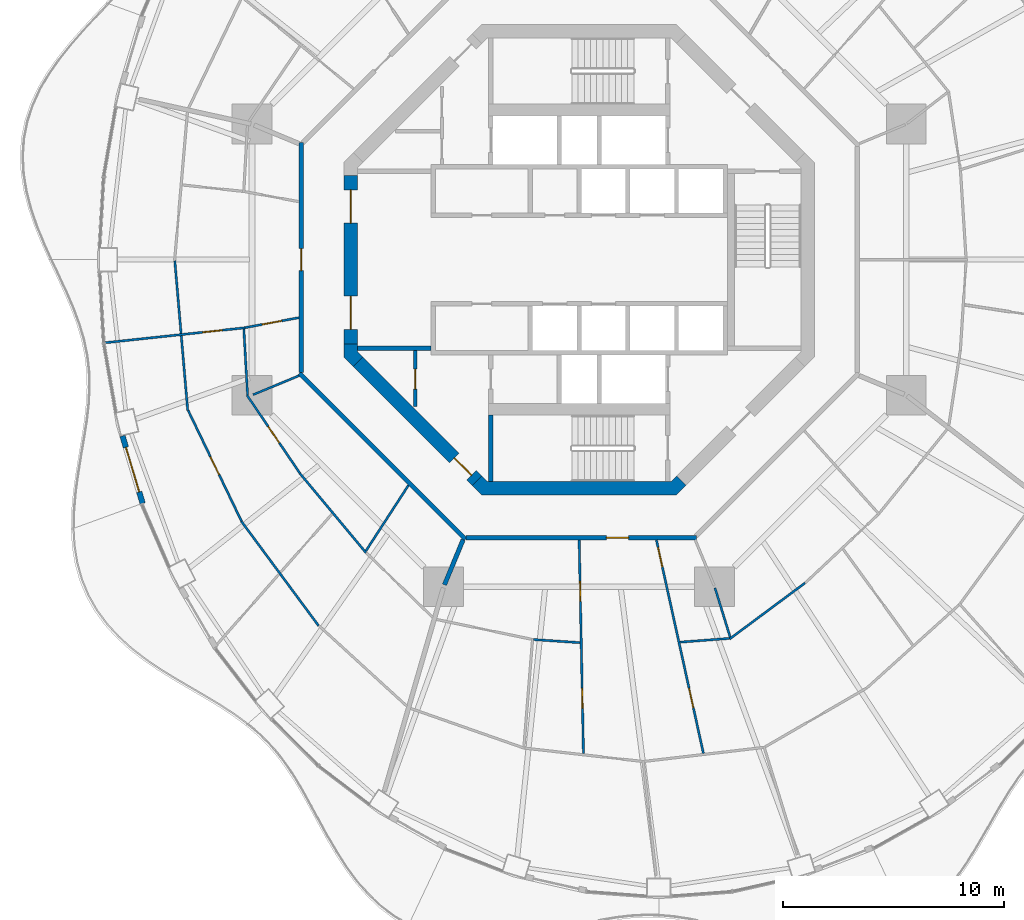
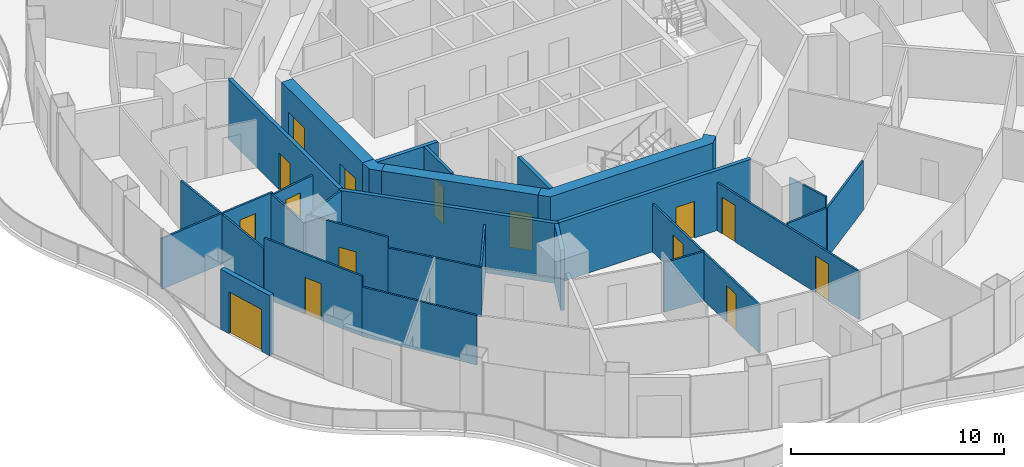
# One storey, part 11 of 19: 28 walls, 15 doors, 15 openings.
"""IFC4 building model written with IfcOpenShell, lengths in metres."""

from ifc_helpers import new_model, si_unit, direction, frame, frame_2d, origin, place, context, subcontext, project, spatial, polyline, rectangle, outline, extrude, material, layer, layer_set, type_object, element, fill, save


model = new_model("IFC4")

# Units and contexts
model_context = context("Model", 3, precision=1e-05, world=origin(), true_north=direction((0.0, 1.0)))
body_context = subcontext(model_context, "Body", "Model", "MODEL_VIEW")
ifc_project = project(units=[si_unit("LENGTHUNIT", "METRE"), si_unit("AREAUNIT", "SQUARE_METRE"), si_unit("VOLUMEUNIT", "CUBIC_METRE"), si_unit("PLANEANGLEUNIT", "RADIAN"), si_unit("MASSUNIT", "GRAM", prefix="KILO")], contexts=[model_context])

# Site, building, storey
site_placement = place(None, origin())
site = spatial("IfcSite", under=ifc_project, at=site_placement, CompositionType="ELEMENT")
building_placement = place(site_placement, origin())
building = spatial("IfcBuilding", under=site, at=building_placement, Name="Nagisa Residences", CompositionType="ELEMENT")
storey_placement = place(building_placement, frame((0.0, 0.0, 188.10009765625)))
storey = spatial("IfcBuildingStorey", under=building, at=storey_placement, Name="L47", CompositionType="ELEMENT", Elevation=188.10009765625)

# Wall
ifc_material_1 = material(Name="Gypsum board on steel studs", Category="steel")
ifc_layer_1 = layer(ifc_material_1, 0.199951171875)
ifc_layer_set_1 = layer_set([ifc_layer_1], Name="Apartment compartment wall EI60 200")
wall_type_1 = type_object("IfcWallType", Name="Apartment compartment wall EI60 200", PredefinedType="PARTITIONING", material=ifc_layer_set_1)
wall_1_placement = place(storey_placement, frame((-5.24267578125, -12.6572265625, 0.0), z_axis=(0.0, 0.0, 1.0), x_axis=(-0.382707856524, -0.923869415315, 0.0)))
element("IfcWall", 1, at=wall_1_placement, inside=storey, type_object=wall_type_1, Name="wall:L47:u06", PredefinedType="PARTITIONING", context=body_context, shape_type="SweptSolid", body=[
    extrude(rectangle(XDim=2.2001953125, YDim=0.199951171875, at=frame_2d((1.10009765625, 0.0))), origin(), (0.0, 0.0, 1.0), 3.43994140625),
])

# Wall, opening, door
ifc_material_2 = material(Name="Gypsum board on steel studs", Category="steel")
ifc_layer_2 = layer(ifc_material_2, 0.199951171875)
ifc_layer_set_2 = layer_set([ifc_layer_2], Name="Apartment entry wall EI60 200")
wall_type_2 = type_object("IfcWallType", Name="Apartment entry wall EI60 200", PredefinedType="PARTITIONING", material=ifc_layer_set_2)
wall_2_placement = place(storey_placement, frame((-12.564697265625, 5.304443359375, 0.0), z_axis=(0.0, 0.0, 1.0), x_axis=(0.0, -1.0, 0.0)))
wall_2 = element("IfcWall", 2, at=wall_2_placement, inside=storey, type_object=wall_type_2, Name="wall:L47:u14", PredefinedType="PARTITIONING", context=body_context, shape_type="SweptSolid", body=[
    extrude(rectangle(XDim=10.408935546875, YDim=0.199951171875, at=frame_2d((5.20458984375, 0.0))), origin(), (0.0, 0.0, 1.0), 3.43994140625),
])
opening_1_placement = place(wall_2_placement, frame((4.804443359375, 0.0, 0.0)))
opening_1 = element("IfcOpeningElement", 3, at=opening_1_placement, cuts=wall_2, Name="Opening L47-U09", PredefinedType="OPENING", context=body_context, shape_type="SweptSolid", body=[
    extrude(rectangle(XDim=1.0, YDim=2.10009765625, at=frame_2d((0.5, 1.050048828125))), frame((0.0, 0.10986328125, 0.0), z_axis=(0.0, -1.0, 0.0), x_axis=(1.0, 0.0, 0.0)), (0.0, 0.0, 1.0), 0.219970703125),
])
ifc_material_3 = material(Name="Timber fire door set", Category="wood")
door_type_1 = type_object("IfcDoorType", Name="Apartment entry door FD30S 1000x2100", OperationType="NOTDEFINED", PredefinedType="DOOR", material=ifc_material_3)
door_1_placement = place(opening_1_placement, frame((1.0, 0.0, 0.0), x_axis=(-1.0, 0.0, 0.0)))
door_1 = element("IfcDoor", 4, at=door_1_placement, inside=storey, type_object=door_type_1, Name="Entry door, Apartment 47B", OperationType="SINGLE_SWING_RIGHT", OverallHeight=2.10009765625, OverallWidth=1.0, PredefinedType="DOOR", context=body_context, shape_type="SweptSolid", body=[
    extrude(rectangle(XDim=1.0, YDim=2.10009765625, at=frame_2d((0.5, 1.050048828125))), frame((0.0, 0.02490234375, 0.0), z_axis=(0.0, -1.0, 0.0), x_axis=(1.0, 0.0, 0.0)), (0.0, 0.0, 1.0), 0.050048828125),
])
fill(opening_1, door_1)

# Wall
wall_3_placement = place(storey_placement, frame((-12.635498046875, -5.1337890625, 0.0), z_axis=(0.0, 0.0, 1.0), x_axis=(0.707106781187, -0.707106781187, 0.0)))
element("IfcWall", 5, at=wall_3_placement, inside=storey, type_object=wall_type_2, Name="wall:L47:u15", PredefinedType="PARTITIONING", context=body_context, shape_type="SweptSolid", body=[
    extrude(rectangle(XDim=10.609130859375, YDim=0.199951171875, at=frame_2d((5.3046875, 0.0))), origin(), (0.0, 0.0, 1.0), 3.43994140625),
])

# Wall, opening, door
wall_4_placement = place(storey_placement, frame((-5.1044921875, -12.564697265625, 0.0), z_axis=(0.0, 0.0, 1.0), x_axis=(1.0, 0.0, 0.0)))
wall_4 = element("IfcWall", 6, at=wall_4_placement, inside=storey, type_object=wall_type_2, Name="wall:L47:u16", PredefinedType="PARTITIONING", context=body_context, shape_type="SweptSolid", body=[
    extrude(rectangle(XDim=10.408935546875, YDim=0.199951171875, at=frame_2d((5.20458984375, 0.0))), origin(), (0.0, 0.0, 1.0), 3.43994140625),
])
opening_2_placement = place(wall_4_placement, frame((6.33935546875, 0.0, 0.0)))
opening_2 = element("IfcOpeningElement", 7, at=opening_2_placement, cuts=wall_4, Name="Opening L47-U20", PredefinedType="OPENING", context=body_context, shape_type="SweptSolid", body=[
    extrude(rectangle(XDim=1.0, YDim=2.10009765625, at=frame_2d((0.5, 1.050048828125))), frame((0.0, 0.10986328125, 0.0), z_axis=(0.0, -1.0, 0.0), x_axis=(1.0, 0.0, 0.0)), (0.0, 0.0, 1.0), 0.219970703125),
])
door_2_placement = place(opening_2_placement, frame((1.0, 0.0, 0.0), x_axis=(-1.0, 0.0, 0.0)))
door_2 = element("IfcDoor", 8, at=door_2_placement, inside=storey, type_object=door_type_1, Name="Entry door, Apartment 47C", OperationType="SINGLE_SWING_LEFT", OverallHeight=2.10009765625, OverallWidth=1.0, PredefinedType="DOOR", context=body_context, shape_type="SweptSolid", body=[
    extrude(rectangle(XDim=1.0, YDim=2.10009765625, at=frame_2d((0.5, 1.050048828125))), frame((0.0, 0.02490234375, 0.0), z_axis=(0.0, -1.0, 0.0), x_axis=(1.0, 0.0, 0.0)), (0.0, 0.0, 1.0), 0.050048828125),
])
fill(opening_2, door_2)

# Wall
ifc_material_4 = material(Name="Gypsum board on steel studs", Category="steel")
ifc_layer_3 = layer(ifc_material_4, 0.10009765625)
ifc_layer_set_3 = layer_set([ifc_layer_3], Name="Apartment partition 100")
wall_type_3 = type_object("IfcWallType", Name="Apartment partition 100", PredefinedType="PARTITIONING", material=ifc_layer_set_3)
wall_5_placement = place(storey_placement, frame((-18.270751953125, -0.0498046875, 0.0), z_axis=(0.0, 0.0, 1.0), x_axis=(0.086018199227, -0.996293565874, 0.0)))
element("IfcWall", 9, at=wall_5_placement, inside=storey, type_object=wall_type_3, Name="wall:L47:u59", PredefinedType="PARTITIONING", context=body_context, shape_type="SweptSolid", body=[
    extrude(rectangle(XDim=6.7890625, YDim=0.10009765625, at=frame_2d((3.39453125, 0.0))), origin(), (0.0, 0.0, 1.0), 2.8369140625),
])

# Wall, opening, door
wall_6_placement = place(storey_placement, frame((-12.6630859375, -2.62060546875, 0.0), z_axis=(0.0, 0.0, 1.0), x_axis=(-0.983176884312, -0.182655999505, 0.0)))
wall_6 = element("IfcWall", 10, at=wall_6_placement, inside=storey, type_object=wall_type_3, Name="wall:L47:u60", PredefinedType="PARTITIONING", context=body_context, shape_type="SweptSolid", body=[
    extrude(rectangle(XDim=2.4833984375, YDim=0.10009765625, at=frame_2d((1.24169921875, 0.0))), origin(), (0.0, 0.0, 1.0), 2.755859375),
])
opening_3_placement = place(wall_6_placement, frame((0.791748046875, 0.0, 0.0)))
opening_3 = element("IfcOpeningElement", 11, at=opening_3_placement, cuts=wall_6, Name="Opening L47-U11", PredefinedType="OPENING", context=body_context, shape_type="SweptSolid", body=[
    extrude(rectangle(XDim=0.89990234375, YDim=2.10009765625, at=frame_2d((0.449951171875, 1.050048828125))), frame((0.0, 0.06005859375, 0.0), z_axis=(0.0, -1.0, 0.0), x_axis=(1.0, 0.0, 0.0)), (0.0, 0.0, 1.0), 0.1201171875),
])
ifc_material_5 = material(Name="Timber door set", Category="wood")
door_type_2 = type_object("IfcDoorType", Name="Apartment door 900x2100", OperationType="NOTDEFINED", PredefinedType="DOOR", material=ifc_material_5)
door_3_placement = place(opening_3_placement, origin())
door_3 = element("IfcDoor", 12, at=door_3_placement, inside=storey, type_object=door_type_2, Name="Door to family bathroom, Apartment 47B", OperationType="SINGLE_SWING_LEFT", OverallHeight=2.10009765625, OverallWidth=0.89990234375, PredefinedType="DOOR", context=body_context, shape_type="SweptSolid", body=[
    extrude(rectangle(XDim=0.89990234375, YDim=2.10009765625, at=frame_2d((0.449951171875, 1.050048828125))), frame((0.0, 0.02490234375, 0.0), z_axis=(0.0, -1.0, 0.0), x_axis=(1.0, 0.0, 0.0)), (0.0, 0.0, 1.0), 0.050048828125),
])
fill(opening_3, door_3)

wall_7_placement = place(storey_placement, frame((-15.104248046875, -3.077880859375, 0.0), z_axis=(0.0, 0.0, 1.0), x_axis=(-0.994316167803, -0.106467640365, 0.0)))
wall_7 = element("IfcWall", 13, at=wall_7_placement, inside=storey, type_object=wall_type_3, Name="wall:L47:u61", PredefinedType="PARTITIONING", context=body_context, shape_type="SweptSolid", body=[
    extrude(rectangle(XDim=6.450439453125, YDim=0.10009765625, at=frame_2d((3.22509765625, 0.0))), origin(), (0.0, 0.0, 1.0), 2.90478515625),
])
opening_4_placement = place(wall_7_placement, frame((1.0224609375, 0.0, 0.0)))
opening_4 = element("IfcOpeningElement", 14, at=opening_4_placement, cuts=wall_7, Name="Opening L47-U13", PredefinedType="OPENING", context=body_context, shape_type="SweptSolid", body=[
    extrude(rectangle(XDim=0.89990234375, YDim=2.10009765625, at=frame_2d((0.449951171875, 1.050048828125))), frame((0.0, 0.06005859375, 0.0), z_axis=(0.0, -1.0, 0.0), x_axis=(1.0, 0.0, 0.0)), (0.0, 0.0, 1.0), 0.1201171875),
])
door_4_placement = place(opening_4_placement, origin())
door_4 = element("IfcDoor", 15, at=door_4_placement, inside=storey, type_object=door_type_2, Name="Door to kitchen, Apartment 47B", OperationType="SINGLE_SWING_LEFT", OverallHeight=2.10009765625, OverallWidth=0.89990234375, PredefinedType="DOOR", context=body_context, shape_type="SweptSolid", body=[
    extrude(rectangle(XDim=0.89990234375, YDim=2.10009765625, at=frame_2d((0.449951171875, 1.050048828125))), frame((0.0, 0.02490234375, 0.0), z_axis=(0.0, -1.0, 0.0), x_axis=(1.0, 0.0, 0.0)), (0.0, 0.0, 1.0), 0.050048828125),
])
fill(opening_4, door_4)

# Walls
wall_8_placement = place(storey_placement, frame((-15.151123046875, -3.13330078125, 0.0), z_axis=(0.0, 0.0, 1.0), x_axis=(0.05637501378, -0.998409664327, 0.0)))
element("IfcWall", 16, at=wall_8_placement, inside=storey, type_object=wall_type_3, Name="wall:L47:u62", PredefinedType="PARTITIONING", context=body_context, shape_type="SweptSolid", body=[
    extrude(rectangle(XDim=2.988037109375, YDim=0.10009765625, at=frame_2d((1.494140625, 0.0))), origin(), (0.0, 0.0, 1.0), 2.8369140625),
])
wall_9_placement = place(storey_placement, frame((-12.6572265625, -5.24267578125, 0.0), z_axis=(0.0, 0.0, 1.0), x_axis=(-0.923864733477, -0.382719158442, 0.0)))
element("IfcWall", 17, at=wall_9_placement, inside=storey, type_object=wall_type_3, Name="wall:L47:u63", PredefinedType="PARTITIONING", context=body_context, shape_type="SweptSolid", body=[
    extrude(rectangle(XDim=2.25, YDim=0.10009765625, at=frame_2d((1.125, 0.0))), origin(), (0.0, 0.0, 1.0), 3.43994140625),
])

# Wall, opening, door
wall_10_placement = place(storey_placement, frame((-15.008056640625, -6.125244140625, 0.0), z_axis=(0.0, 0.0, 1.0), x_axis=(0.561073758086, -0.827765811076, 0.0)))
wall_10 = element("IfcWall", 18, at=wall_10_placement, inside=storey, type_object=wall_type_3, Name="wall:L47:u64", PredefinedType="PARTITIONING", context=body_context, shape_type="SweptSolid", body=[
    extrude(rectangle(XDim=4.258544921875, YDim=0.10009765625, at=frame_2d((2.12939453125, 0.0))), origin(), (0.0, 0.0, 1.0), 3.43994140625),
])
opening_5_placement = place(wall_10_placement, frame((1.704345703125, 0.0, 0.0)))
opening_5 = element("IfcOpeningElement", 19, at=opening_5_placement, cuts=wall_10, Name="Opening L47-U18", PredefinedType="OPENING", context=body_context, shape_type="SweptSolid", body=[
    extrude(rectangle(XDim=0.89990234375, YDim=2.10009765625, at=frame_2d((0.449951171875, 1.050048828125))), frame((0.0, 0.06005859375, 0.0), z_axis=(0.0, -1.0, 0.0), x_axis=(1.0, 0.0, 0.0)), (0.0, 0.0, 1.0), 0.1201171875),
])
door_5_placement = place(opening_5_placement, origin())
door_5 = element("IfcDoor", 20, at=door_5_placement, inside=storey, type_object=door_type_2, Name="Door to store, Apartment 47B", OperationType="SINGLE_SWING_RIGHT", OverallHeight=2.10009765625, OverallWidth=0.89990234375, PredefinedType="DOOR", context=body_context, shape_type="SweptSolid", body=[
    extrude(rectangle(XDim=0.89990234375, YDim=2.10009765625, at=frame_2d((0.449951171875, 1.050048828125))), frame((0.0, 0.02490234375, 0.0), z_axis=(0.0, -1.0, 0.0), x_axis=(1.0, 0.0, 0.0)), (0.0, 0.0, 1.0), 0.050048828125),
])
fill(opening_5, door_5)

wall_11_placement = place(storey_placement, frame((-17.669189453125, -6.80908203125, 0.0), z_axis=(0.0, 0.0, 1.0), x_axis=(0.434040130629, -0.900893536997, 0.0)))
wall_11 = element("IfcWall", 21, at=wall_11_placement, inside=storey, type_object=wall_type_3, Name="wall:L47:u65", PredefinedType="PARTITIONING", context=body_context, shape_type="SweptSolid", body=[
    extrude(rectangle(XDim=5.557861328125, YDim=0.10009765625, at=frame_2d((2.77880859375, 0.0))), origin(), (0.0, 0.0, 1.0), 3.43994140625),
])
opening_6_placement = place(wall_11_placement, frame((2.3291015625, 0.0, 0.0)))
opening_6 = element("IfcOpeningElement", 22, at=opening_6_placement, cuts=wall_11, Name="Opening L47-U16", PredefinedType="OPENING", context=body_context, shape_type="SweptSolid", body=[
    extrude(rectangle(XDim=0.89990234375, YDim=2.10009765625, at=frame_2d((0.449951171875, 1.050048828125))), frame((0.0, 0.06005859375, 0.0), z_axis=(0.0, -1.0, 0.0), x_axis=(1.0, 0.0, 0.0)), (0.0, 0.0, 1.0), 0.1201171875),
])
door_6_placement = place(opening_6_placement, frame((0.89990234375, 0.0, 0.0), x_axis=(-1.0, 0.0, 0.0)))
door_6 = element("IfcDoor", 23, at=door_6_placement, inside=storey, type_object=door_type_2, Name="Door to family room, Apartment 47B", OperationType="SINGLE_SWING_LEFT", OverallHeight=2.10009765625, OverallWidth=0.89990234375, PredefinedType="DOOR", context=body_context, shape_type="SweptSolid", body=[
    extrude(rectangle(XDim=0.89990234375, YDim=2.10009765625, at=frame_2d((0.449951171875, 1.050048828125))), frame((0.0, 0.02490234375, 0.0), z_axis=(0.0, -1.0, 0.0), x_axis=(1.0, 0.0, 0.0)), (0.0, 0.0, 1.0), 0.050048828125),
])
fill(opening_6, door_6)

# Walls
wall_12_placement = place(storey_placement, frame((-12.62255859375, -9.6533203125, 0.0), z_axis=(0.0, 0.0, 1.0), x_axis=(0.640297481347, -0.768127030758, 0.0)))
element("IfcWall", 24, at=wall_12_placement, inside=storey, type_object=wall_type_3, Name="wall:L47:u66", PredefinedType="PARTITIONING", context=body_context, shape_type="SweptSolid", body=[
    extrude(rectangle(XDim=4.671630859375, YDim=0.10009765625, at=frame_2d((2.3359375, 0.0))), origin(), (0.0, 0.0, 1.0), 2.8369140625),
])
wall_13_placement = place(storey_placement, frame((-15.264892578125, -11.821044921875, 0.0), z_axis=(0.0, 0.0, 1.0), x_axis=(0.594711348772, -0.803939308432, 0.0)))
element("IfcWall", 25, at=wall_13_placement, inside=storey, type_object=wall_type_3, Name="wall:L47:u67", PredefinedType="PARTITIONING", context=body_context, shape_type="SweptSolid", body=[
    extrude(rectangle(XDim=5.87158203125, YDim=0.10009765625, at=frame_2d((2.935791015625, 0.0))), origin(), (0.0, 0.0, 1.0), 2.8369140625),
])
wall_14_placement = place(storey_placement, frame((-7.71240234375, -10.1953125, 0.0), z_axis=(0.0, 0.0, 1.0), x_axis=(-0.544170086001, -0.838974920663, 0.0)))
element("IfcWall", 26, at=wall_14_placement, inside=storey, type_object=wall_type_3, Name="wall:L47:u69", PredefinedType="PARTITIONING", context=body_context, shape_type="SweptSolid", body=[
    extrude(rectangle(XDim=3.535400390625, YDim=0.10009765625, at=frame_2d((1.767578125, 0.0))), origin(), (0.0, 0.0, 1.0), 2.755859375),
])
wall_15_placement = place(storey_placement, frame((-2.0546875, -17.166015625, 0.0), z_axis=(0.0, 0.0, 1.0), x_axis=(0.997756833447, -0.06694252243, 0.0)))
element("IfcWall", 27, at=wall_15_placement, inside=storey, type_object=wall_type_3, Name="wall:L47:u75", PredefinedType="PARTITIONING", context=body_context, shape_type="SweptSolid", body=[
    extrude(rectangle(XDim=2.104248046875, YDim=0.10009765625, at=frame_2d((1.05224609375, 0.0))), origin(), (0.0, 0.0, 1.0), 2.8369140625),
])

# Wall, openings, doors
wall_16_placement = place(storey_placement, frame((0.001953125, -12.664794921875, 0.0), z_axis=(0.0, 0.0, 1.0), x_axis=(0.019992969345, -0.999800120613, 0.0)))
wall_16 = element("IfcWall", 28, at=wall_16_placement, inside=storey, type_object=wall_type_3, Name="wall:L47:u77", PredefinedType="PARTITIONING", context=body_context, shape_type="SweptSolid", body=[
    extrude(rectangle(XDim=9.6591796875, YDim=0.10009765625, at=frame_2d((4.82958984375, 0.0))), origin(), (0.0, 0.0, 1.0), 2.755859375),
])
opening_7_placement = place(wall_16_placement, frame((1.873291015625, 0.0, 0.0)))
opening_7 = element("IfcOpeningElement", 29, at=opening_7_placement, cuts=wall_16, Name="Opening L47-U21", PredefinedType="OPENING", context=body_context, shape_type="SweptSolid", body=[
    extrude(rectangle(XDim=0.89990234375, YDim=2.10009765625, at=frame_2d((0.449951171875, 1.050048828125))), frame((0.0, 0.06005859375, 0.0), z_axis=(0.0, -1.0, 0.0), x_axis=(1.0, 0.0, 0.0)), (0.0, 0.0, 1.0), 0.1201171875),
])
opening_8_placement = place(wall_16_placement, frame((6.702880859375, 0.0, 0.0)))
opening_8 = element("IfcOpeningElement", 30, at=opening_8_placement, cuts=wall_16, Name="Opening L47-U24", PredefinedType="OPENING", context=body_context, shape_type="SweptSolid", body=[
    extrude(rectangle(XDim=0.89990234375, YDim=2.10009765625, at=frame_2d((0.449951171875, 1.050048828125))), frame((0.0, 0.06005859375, 0.0), z_axis=(0.0, -1.0, 0.0), x_axis=(1.0, 0.0, 0.0)), (0.0, 0.0, 1.0), 0.1201171875),
])
door_7_placement = place(opening_7_placement, frame((0.89990234375, 0.0, 0.0), x_axis=(-1.0, 0.0, 0.0)))
door_7 = element("IfcDoor", 31, at=door_7_placement, inside=storey, type_object=door_type_2, Name="Door to laundry, Apartment 47C", OperationType="SINGLE_SWING_RIGHT", OverallHeight=2.10009765625, OverallWidth=0.89990234375, PredefinedType="DOOR", context=body_context, shape_type="SweptSolid", body=[
    extrude(rectangle(XDim=0.89990234375, YDim=2.10009765625, at=frame_2d((0.449951171875, 1.050048828125))), frame((0.0, 0.02490234375, 0.0), z_axis=(0.0, -1.0, 0.0), x_axis=(1.0, 0.0, 0.0)), (0.0, 0.0, 1.0), 0.050048828125),
])
fill(opening_7, door_7)
door_8_placement = place(opening_8_placement, frame((0.89990234375, 0.0, 0.0), x_axis=(-1.0, 0.0, 0.0)))
door_8 = element("IfcDoor", 32, at=door_8_placement, inside=storey, type_object=door_type_2, Name="Door to family bathroom, Apartment 47C", OperationType="SINGLE_SWING_LEFT", OverallHeight=2.10009765625, OverallWidth=0.89990234375, PredefinedType="DOOR", context=body_context, shape_type="SweptSolid", body=[
    extrude(rectangle(XDim=0.89990234375, YDim=2.10009765625, at=frame_2d((0.449951171875, 1.050048828125))), frame((0.0, 0.02490234375, 0.0), z_axis=(0.0, -1.0, 0.0), x_axis=(1.0, 0.0, 0.0)), (0.0, 0.0, 1.0), 0.050048828125),
])
fill(opening_8, door_8)

wall_17_placement = place(storey_placement, frame((3.4912109375, -12.662353515625, 0.0), z_axis=(0.0, 0.0, 1.0), x_axis=(0.215082442833, -0.976595895335, 0.0)))
wall_17 = element("IfcWall", 33, at=wall_17_placement, inside=storey, type_object=wall_type_3, Name="wall:L47:u80", PredefinedType="PARTITIONING", context=body_context, shape_type="SweptSolid", body=[
    extrude(rectangle(XDim=9.877685546875, YDim=0.10009765625, at=frame_2d((4.93896484375, 0.0))), origin(), (0.0, 0.0, 1.0), 2.755859375),
])
opening_9_placement = place(wall_17_placement, frame((0.35009765625, 0.0, 0.0)))
opening_9 = element("IfcOpeningElement", 34, at=opening_9_placement, cuts=wall_17, Name="Opening L47-U22", PredefinedType="OPENING", context=body_context, shape_type="SweptSolid", body=[
    extrude(rectangle(XDim=0.89990234375, YDim=2.10009765625, at=frame_2d((0.449951171875, 1.050048828125))), frame((0.0, 0.06005859375, 0.0), z_axis=(0.0, -1.0, 0.0), x_axis=(1.0, 0.0, 0.0)), (0.0, 0.0, 1.0), 0.1201171875),
])
opening_10_placement = place(wall_17_placement, frame((6.861083984375, 0.0, 0.0)))
opening_10 = element("IfcOpeningElement", 35, at=opening_10_placement, cuts=wall_17, Name="Opening L47-U25", PredefinedType="OPENING", context=body_context, shape_type="SweptSolid", body=[
    extrude(rectangle(XDim=0.89990234375, YDim=2.10009765625, at=frame_2d((0.449951171875, 1.050048828125))), frame((0.0, 0.06005859375, 0.0), z_axis=(0.0, -1.0, 0.0), x_axis=(1.0, 0.0, 0.0)), (0.0, 0.0, 1.0), 0.1201171875),
])
door_9_placement = place(opening_9_placement, origin())
door_9 = element("IfcDoor", 36, at=door_9_placement, inside=storey, type_object=door_type_2, Name="Door to family bathroom, Apartment 47C", OperationType="SINGLE_SWING_RIGHT", OverallHeight=2.10009765625, OverallWidth=0.89990234375, PredefinedType="DOOR", context=body_context, shape_type="SweptSolid", body=[
    extrude(rectangle(XDim=0.89990234375, YDim=2.10009765625, at=frame_2d((0.449951171875, 1.050048828125))), frame((0.0, 0.02490234375, 0.0), z_axis=(0.0, -1.0, 0.0), x_axis=(1.0, 0.0, 0.0)), (0.0, 0.0, 1.0), 0.050048828125),
])
fill(opening_9, door_9)
door_10_placement = place(opening_10_placement, origin())
door_10 = element("IfcDoor", 37, at=door_10_placement, inside=storey, type_object=door_type_2, Name="Door to family room, Apartment 47C", OperationType="SINGLE_SWING_LEFT", OverallHeight=2.10009765625, OverallWidth=0.89990234375, PredefinedType="DOOR", context=body_context, shape_type="SweptSolid", body=[
    extrude(rectangle(XDim=0.89990234375, YDim=2.10009765625, at=frame_2d((0.449951171875, 1.050048828125))), frame((0.0, 0.02490234375, 0.0), z_axis=(0.0, -1.0, 0.0), x_axis=(1.0, 0.0, 0.0)), (0.0, 0.0, 1.0), 0.050048828125),
])
fill(opening_10, door_10)

# Walls
wall_18_placement = place(storey_placement, frame((4.567626953125, -17.28369140625, 0.0), z_axis=(0.0, 0.0, 1.0), x_axis=(0.997076339393, 0.076411867029, 0.0)))
element("IfcWall", 38, at=wall_18_placement, inside=storey, type_object=wall_type_3, Name="wall:L47:u81", PredefinedType="PARTITIONING", context=body_context, shape_type="SweptSolid", body=[
    extrude(rectangle(XDim=2.230224609375, YDim=0.10009765625, at=frame_2d((1.115234375, 0.0))), origin(), (0.0, 0.0, 1.0), 2.8369140625),
])
wall_19_placement = place(storey_placement, frame((6.1376953125, -14.829833984375, 0.0), z_axis=(0.0, 0.0, 1.0), x_axis=(0.29476151767, -0.955570849127, 0.0)))
element("IfcWall", 39, at=wall_19_placement, inside=storey, type_object=wall_type_3, Name="wall:L47:u83", PredefinedType="PARTITIONING", context=body_context, shape_type="SweptSolid", body=[
    extrude(rectangle(XDim=2.335693359375, YDim=0.10009765625, at=frame_2d((1.16796875, 0.0))), origin(), (0.0, 0.0, 1.0), 3.43994140625),
])
wall_20_placement = place(storey_placement, frame((6.80078125, -17.13916015625, 0.0), z_axis=(0.0, 0.0, 1.0), x_axis=(0.802795005531, 0.596255129198, 0.0)))
element("IfcWall", 40, at=wall_20_placement, inside=storey, type_object=wall_type_3, Name="wall:L47:u84", PredefinedType="PARTITIONING", context=body_context, shape_type="SweptSolid", body=[
    extrude(rectangle(XDim=4.242431640625, YDim=0.10009765625, at=frame_2d((2.12109375, 0.0))), origin(), (0.0, 0.0, 1.0), 2.8369140625),
])

# Wall, opening, door
ifc_material_6 = material(Name="Precast concrete C40/50", Category="concrete")
ifc_layer_4 = layer(ifc_material_6, 0.25)
ifc_layer_set_4 = layer_set([ifc_layer_4], Name="BALCONY DOOR WALL 250")
wall_type_4 = type_object("IfcWallType", Name="BALCONY DOOR WALL 250", PredefinedType="SOLIDWALL", material=ifc_layer_set_4)
wall_21_placement = place(storey_placement, frame((-19.7236328125, -11.01416015625, 0.0), z_axis=(0.0, 0.0, 1.0), x_axis=(-0.28584838049, 0.958274857946, 0.0)))
wall_21 = element("IfcWall", 41, at=wall_21_placement, inside=storey, type_object=wall_type_4, Name="wall:L47:bay26", PredefinedType="SOLIDWALL", context=body_context, shape_type="SweptSolid", body=[
    extrude(rectangle(XDim=3.182373046875, YDim=0.25, at=frame_2d((1.59130859375, 0.0))), origin(), (0.0, 0.0, 1.0), 3.43994140625),
])
opening_11_placement = place(wall_21_placement, frame((0.541259765625, 0.0, 0.0)))
opening_11 = element("IfcOpeningElement", 42, at=opening_11_placement, cuts=wall_21, Name="Opening BD-L47-09", PredefinedType="OPENING", context=body_context, shape_type="SweptSolid", body=[
    extrude(rectangle(XDim=2.10009765625, YDim=2.39990234375, at=frame_2d((1.050048828125, 1.199951171875))), frame((0.0, 0.135009765625, 0.0), z_axis=(0.0, -1.0, 0.0), x_axis=(1.0, 0.0, 0.0)), (0.0, 0.0, 1.0), 0.27001953125),
])
ifc_material_7 = material(Name="Aluminium and clear glass", Category="aluminium")
door_type_3 = type_object("IfcDoorType", Name="BALCONY SLIDING DOOR 2100x2400", OperationType="SLIDING_TO_LEFT", PredefinedType="DOOR", material=ifc_material_7)
door_11_placement = place(opening_11_placement, origin())
door_11 = element("IfcDoor", 43, at=door_11_placement, inside=storey, type_object=door_type_3, Name="door:L47:bay26", OperationType="SLIDING_TO_LEFT", OverallHeight=2.39990234375, OverallWidth=2.10009765625, PredefinedType="DOOR", context=body_context, shape_type="SweptSolid", body=[
    extrude(rectangle(XDim=2.10009765625, YDim=2.39990234375, at=frame_2d((1.050048828125, 1.199951171875))), frame((0.0, 0.02490234375, 0.0), z_axis=(0.0, -1.0, 0.0), x_axis=(1.0, 0.0, 0.0)), (0.0, 0.0, 1.0), 0.050048828125),
])
fill(opening_11, door_11)

ifc_material_8 = material(Name="Gypsum board on steel studs", Category="steel")
ifc_layer_5 = layer(ifc_material_8, 0.14990234375)
ifc_layer_set_5 = layer_set([ifc_layer_5], Name="Core partition 150")
wall_type_5 = type_object("IfcWallType", Name="Core partition 150", PredefinedType="PARTITIONING", material=ifc_layer_set_5)
wall_22_placement = place(storey_placement, frame((-7.39990234375, -6.626953125, 0.0), z_axis=(0.0, 0.0, 1.0), x_axis=(0.0, 1.0, 0.0)))
wall_22 = element("IfcWall", 44, at=wall_22_placement, inside=storey, type_object=wall_type_5, Name="wall:L47:SWp", PredefinedType="PARTITIONING", context=body_context, shape_type="SweptSolid", body=[
    extrude(rectangle(XDim=2.52685546875, YDim=0.14990234375, at=frame_2d((1.263427734375, 0.0))), origin(), (0.0, 0.0, 1.0), 3.43994140625),
])
opening_12_placement = place(wall_22_placement, frame((0.77587890625, 0.0, 0.0)))
opening_12 = element("IfcOpeningElement", 45, at=opening_12_placement, cuts=wall_22, Name="Opening L47-C13", PredefinedType="OPENING", context=body_context, shape_type="SweptSolid", body=[
    extrude(rectangle(XDim=0.89990234375, YDim=2.10009765625, at=frame_2d((0.449951171875, 1.050048828125))), frame((0.0, 0.0849609375, 0.0), z_axis=(0.0, -1.0, 0.0), x_axis=(1.0, 0.0, 0.0)), (0.0, 0.0, 1.0), 0.169921875),
])
ifc_material_9 = material(Name="Steel fire door", Category="steel")
door_type_4 = type_object("IfcDoorType", Name="Fire door EI30 900x2100 single swing", OperationType="NOTDEFINED", PredefinedType="DOOR", material=ifc_material_9)
door_12_placement = place(opening_12_placement, origin())
door_12 = element("IfcDoor", 46, at=door_12_placement, inside=storey, type_object=door_type_4, Name="Refuse room door L47", OperationType="SINGLE_SWING_LEFT", OverallHeight=2.10009765625, OverallWidth=0.89990234375, PredefinedType="DOOR", context=body_context, shape_type="SweptSolid", body=[
    extrude(rectangle(XDim=0.89990234375, YDim=2.10009765625, at=frame_2d((0.449951171875, 1.050048828125))), frame((0.0, 0.02490234375, 0.0), z_axis=(0.0, -1.0, 0.0), x_axis=(1.0, 0.0, 0.0)), (0.0, 0.0, 1.0), 0.050048828125),
])
fill(opening_12, door_12)

# Wall
ifc_material_10 = material(Name="Gypsum board on steel studs", Category="steel")
ifc_layer_6 = layer(ifc_material_10, 0.199951171875)
ifc_layer_set_6 = layer_set([ifc_layer_6], Name="Core partition 200")
wall_type_6 = type_object("IfcWallType", Name="Core partition 200", PredefinedType="PARTITIONING", material=ifc_layer_set_6)
wall_23_placement = place(storey_placement, frame((-10.024658203125, -4.0, 0.0), z_axis=(0.0, 0.0, 1.0), x_axis=(1.0, 0.0, 0.0)))
element("IfcWall", 47, at=wall_23_placement, inside=storey, type_object=wall_type_6, Name="wall:L47:PSW", PredefinedType="PARTITIONING", context=body_context, shape_type="SweptSolid", body=[
    extrude(rectangle(XDim=3.32470703125, YDim=0.199951171875, at=frame_2d((1.662353515625, 0.0))), origin(), (0.0, 0.0, 1.0), 3.43994140625),
])

# Wall, openings, doors
ifc_material_11 = material(Name="Concrete C60", Category="concrete")
ifc_layer_7 = layer(ifc_material_11, 0.60009765625)
ifc_layer_set_7 = layer_set([ifc_layer_7], Name="Core shear wall 600")
wall_type_7 = type_object("IfcWallType", Name="Core shear wall 600", PredefinedType="SHEAR", material=ifc_layer_set_7)
wall_24_placement = place(storey_placement, frame((-10.32470703125, 3.80078125, 0.0), z_axis=(0.0, 0.0, 1.0), x_axis=(0.0, -1.0, 0.0)))
wall_24 = element("IfcWall", 48, at=wall_24_placement, inside=storey, type_object=wall_type_7, Name="wall:L47:core:flat4", PredefinedType="SHEAR", context=body_context, shape_type="SweptSolid", body=[
    extrude(rectangle(XDim=7.6015625, YDim=0.60009765625, at=frame_2d((3.80078125, 0.0))), origin(), (0.0, 0.0, 1.0), 3.43994140625),
])
opening_13_placement = place(wall_24_placement, frame((0.65087890625, 0.0, 0.0)))
opening_13 = element("IfcOpeningElement", 49, at=opening_13_placement, cuts=wall_24, Name="Opening L47-C20", PredefinedType="OPENING", context=body_context, shape_type="SweptSolid", body=[
    extrude(rectangle(XDim=1.5, YDim=2.10009765625, at=frame_2d((0.75, 1.050048828125))), frame((0.0, 0.31005859375, 0.0), z_axis=(0.0, -1.0, 0.0), x_axis=(1.0, 0.0, 0.0)), (0.0, 0.0, 1.0), 0.6201171875),
])
opening_14_placement = place(wall_24_placement, frame((5.450927734375, 0.0, 0.0)))
opening_14 = element("IfcOpeningElement", 50, at=opening_14_placement, cuts=wall_24, Name="Opening L47-C21", PredefinedType="OPENING", context=body_context, shape_type="SweptSolid", body=[
    extrude(rectangle(XDim=1.5, YDim=2.10009765625, at=frame_2d((0.75, 1.050048828125))), frame((0.0, 0.31005859375, 0.0), z_axis=(0.0, -1.0, 0.0), x_axis=(1.0, 0.0, 0.0)), (0.0, 0.0, 1.0), 0.6201171875),
])
ifc_material_12 = material(Name="Steel fire door", Category="steel")
door_type_5 = type_object("IfcDoorType", Name="Fire door EI60 1500x2100 double door single swing", OperationType="DOUBLE_DOOR_SINGLE_SWING", PredefinedType="DOOR", material=ifc_material_12)
door_13_placement = place(opening_13_placement, origin())
door_13 = element("IfcDoor", 51, at=door_13_placement, inside=storey, type_object=door_type_5, Name="Lift lobby door L47 1", OperationType="DOUBLE_DOOR_SINGLE_SWING", OverallHeight=2.10009765625, OverallWidth=1.5, PredefinedType="DOOR", context=body_context, shape_type="SweptSolid", body=[
    extrude(rectangle(XDim=1.5, YDim=2.10009765625, at=frame_2d((0.75, 1.050048828125))), frame((0.0, 0.02490234375, 0.0), z_axis=(0.0, -1.0, 0.0), x_axis=(1.0, 0.0, 0.0)), (0.0, 0.0, 1.0), 0.050048828125),
])
fill(opening_13, door_13)
door_14_placement = place(opening_14_placement, origin())
door_14 = element("IfcDoor", 52, at=door_14_placement, inside=storey, type_object=door_type_5, Name="Lift lobby door L47 2", OperationType="DOUBLE_DOOR_SINGLE_SWING", OverallHeight=2.10009765625, OverallWidth=1.5, PredefinedType="DOOR", context=body_context, shape_type="SweptSolid", body=[
    extrude(rectangle(XDim=1.5, YDim=2.10009765625, at=frame_2d((0.75, 1.050048828125))), frame((0.0, 0.02490234375, 0.0), z_axis=(0.0, -1.0, 0.0), x_axis=(1.0, 0.0, 0.0)), (0.0, 0.0, 1.0), 0.050048828125),
])
fill(opening_14, door_14)

# Wall, opening, door
wall_25_placement = place(storey_placement, frame((-9.98828125, -4.613037109375, 0.0), z_axis=(0.0, 0.0, 1.0), x_axis=(0.707106781187, -0.707106781187, 0.0)))
wall_25 = element("IfcWall", 53, at=wall_25_placement, inside=storey, type_object=wall_type_7, Name="wall:L47:core:flat5", PredefinedType="SHEAR", context=body_context, shape_type="SweptSolid", body=[
    extrude(rectangle(XDim=7.601806640625, YDim=0.60009765625, at=frame_2d((3.80078125, 0.0))), origin(), (0.0, 0.0, 1.0), 3.43994140625),
])
opening_15_placement = place(wall_25_placement, frame((6.15087890625, 0.0, 0.0)))
opening_15 = element("IfcOpeningElement", 54, at=opening_15_placement, cuts=wall_25, Name="Opening L47-C23", PredefinedType="OPENING", context=body_context, shape_type="SweptSolid", body=[
    extrude(rectangle(XDim=1.10009765625, YDim=2.10009765625, at=frame_2d((0.550048828125, 1.050048828125))), frame((0.0, 0.31005859375, 0.0), z_axis=(0.0, -1.0, 0.0), x_axis=(1.0, 0.0, 0.0)), (0.0, 0.0, 1.0), 0.6201171875),
])
ifc_material_13 = material(Name="Steel fire door", Category="steel")
door_type_6 = type_object("IfcDoorType", Name="Fire door EI60 1100x2100 single swing", OperationType="NOTDEFINED", PredefinedType="DOOR", material=ifc_material_13)
door_15_placement = place(opening_15_placement, origin())
door_15 = element("IfcDoor", 55, at=door_15_placement, inside=storey, type_object=door_type_6, Name="Housekeeping lobby door L47", OperationType="SINGLE_SWING_RIGHT", OverallHeight=2.10009765625, OverallWidth=1.10009765625, PredefinedType="DOOR", context=body_context, shape_type="SweptSolid", body=[
    extrude(rectangle(XDim=1.10009765625, YDim=2.10009765625, at=frame_2d((0.550048828125, 1.050048828125))), frame((0.0, 0.02490234375, 0.0), z_axis=(0.0, -1.0, 0.0), x_axis=(1.0, 0.0, 0.0)), (0.0, 0.0, 1.0), 0.050048828125),
])
fill(opening_15, door_15)

# Walls
wall_26_placement = place(storey_placement, origin())
element("IfcWall", 56, at=wall_26_placement, inside=storey, type_object=wall_type_7, Name="wall:L47:core:pier4", PredefinedType="SHEAR", context=body_context, shape_type="SweptSolid", body=[
    extrude(outline(polyline([(-10.62451171875, -3.80078125), (-10.024658203125, -3.80078125), (-10.024658203125, -4.15234375), (-9.776123046875, -4.40087890625), (-10.200439453125, -4.8251953125), (-10.62451171875, -4.40087890625), (-10.62451171875, -3.80078125)])), origin(), (0.0, 0.0, 1.0), 3.43994140625),
])
wall_27_placement = place(storey_placement, origin())
element("IfcWall", 57, at=wall_27_placement, inside=storey, type_object=wall_type_7, Name="wall:L47:core:flat6", PredefinedType="SHEAR", context=body_context, shape_type="SweptSolid", body=[
    extrude(outline(polyline([(-4.15234375, -10.024658203125), (4.15234375, -10.024658203125), (4.40087890625, -9.776123046875), (4.8251953125, -10.200439453125), (4.40087890625, -10.62451171875), (-4.40087890625, -10.62451171875), (-4.8251953125, -10.200439453125), (-4.40087890625, -9.776123046875), (-4.15234375, -10.024658203125)])), origin(), (0.0, 0.0, 1.0), 3.43994140625),
])
ifc_material_14 = material(Name="Concrete C60", Category="concrete")
ifc_layer_8 = layer(ifc_material_14, 0.199951171875)
ifc_layer_set_8 = layer_set([ifc_layer_8], Name="Stair enclosure wall 200")
wall_type_8 = type_object("IfcWallType", Name="Stair enclosure wall 200", PredefinedType="SOLIDWALL", material=ifc_layer_set_8)
wall_28_placement = place(storey_placement, origin())
element("IfcWall", 58, at=wall_28_placement, inside=storey, type_object=wall_type_8, Name="wall:L47:SS_w", PredefinedType="SOLIDWALL", context=body_context, shape_type="SweptSolid", body=[
    extrude(outline(polyline([(-3.89990234375, -10.024658203125), (-4.10009765625, -10.024658203125), (-4.10009765625, -7.024658203125), (-3.89990234375, -7.024658203125), (-3.89990234375, -10.024658203125)])), origin(), (0.0, 0.0, 1.0), 3.43994140625),
])

save(model, "model.ifc")
